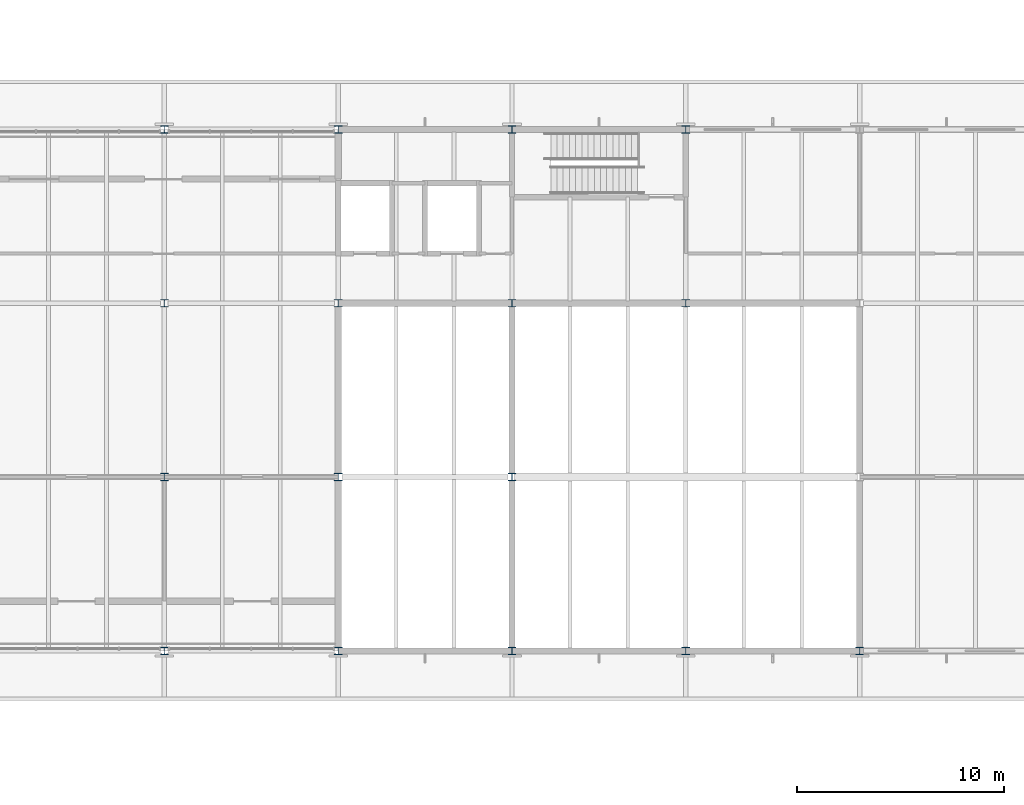
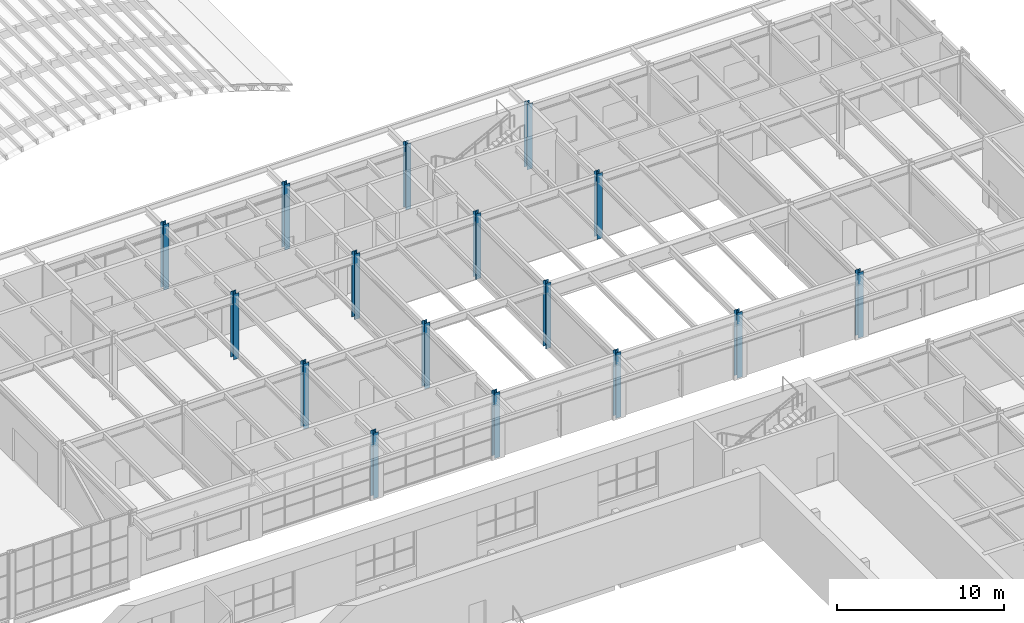
# One storey, part 13 of 116: 16 columns.
"""IFC4 building model written with IfcOpenShell, lengths in metres."""

from ifc_helpers import new_model, si_unit, direction, frame, origin, origin_2d, place, context, subcontext, project, spatial, i_section, extrude, material, material_profile, profile_set, type_object, element, save


model = new_model("IFC4")

# Units and contexts
model_context = context("Model", 3, precision=1e-05, world=origin(), true_north=direction((0.0, 1.0)))
body_context = subcontext(model_context, "Body", "Model", "MODEL_VIEW")
ifc_project = project(units=[si_unit("LENGTHUNIT", "METRE"), si_unit("AREAUNIT", "SQUARE_METRE"), si_unit("VOLUMEUNIT", "CUBIC_METRE"), si_unit("PLANEANGLEUNIT", "RADIAN"), si_unit("MASSUNIT", "GRAM", prefix="KILO")], contexts=[model_context])

# Site, building, storey
site_placement = place(None, origin())
site = spatial("IfcSite", under=ifc_project, at=site_placement, CompositionType="ELEMENT")
building_placement = place(site_placement, origin())
building = spatial("IfcBuilding", under=site, at=building_placement, Name="Ljudholm Concert House", CompositionType="ELEMENT")
storey_placement = place(building_placement, frame((0.0, 0.0, 10.199951171875)))
storey = spatial("IfcBuildingStorey", under=building, at=storey_placement, Name="L02", CompositionType="ELEMENT", Elevation=10.199951171875)

# Columns
ifc_material = material(Name="Steel ASTM A992", Category="steel")
ifc_material_profile = material_profile(ifc_material, i_section(OverallWidth=0.368408203125, OverallDepth=0.355712890625, WebThickness=0.01123046875, FlangeThickness=0.01806640625, FilletRadius=0.01513671875, at=origin_2d()), Name="W14X90")
ifc_profile_set = profile_set([ifc_material_profile], Name="Steel ASTM A992")
column_type = type_object("IfcColumnType", Name="STEEL COLUMN W14X90", PredefinedType="COLUMN", material=ifc_profile_set)
for number, where, z_axis, x_axis, name in (
    (1, (71.199951171875, 104.800048828125, 0.0), (0.0, 0.0, 1.0), (1.0, 0.0, 0.0), "Column STUDIO-L02-col-71.2-104.8"),
    (2, (71.199951171875, 113.199951171875, 0.0), (0.0, 0.0, 1.0), (1.0, 0.0, 0.0), "Column STUDIO-L02-col-71.2-113.2"),
    (3, (71.199951171875, 121.60009765625, 0.0), (0.0, 0.0, 1.0), (1.0, 0.0, 0.0), "Column STUDIO-L02-col-71.2-121.6"),
    (4, (71.199951171875, 130.0, 0.0), (0.0, 0.0, 1.0), (1.0, 0.0, 0.0), "Column STUDIO-L02-col-71.2-130"),
    (5, (79.60009765625, 104.800048828125, 0.0), (0.0, 0.0, 1.0), (1.0, 0.0, 0.0), "Column STUDIO-L02-col-79.6-104.8"),
    (6, (79.60009765625, 113.199951171875, 0.0), (0.0, 0.0, 1.0), (1.0, 0.0, 0.0), "Column STUDIO-L02-col-79.6-113.2"),
    (7, (79.60009765625, 121.60009765625, 0.0), (0.0, 0.0, 1.0), (1.0, 0.0, 0.0), "Column STUDIO-L02-col-79.6-121.6"),
    (8, (79.60009765625, 130.0, 0.0), (0.0, 0.0, 1.0), (1.0, 0.0, 0.0), "Column STUDIO-L02-col-79.6-130"),
    (9, (88.0, 104.800048828125, 0.0), (0.0, 0.0, 1.0), (1.0, 0.0, 0.0), "Column STUDIO-L02-col-88-104.8"),
    (10, (88.0, 113.199951171875, 0.0), (0.0, 0.0, 1.0), (1.0, 0.0, 0.0), "Column STUDIO-L02-col-88-113.2"),
    (11, (88.0, 121.60009765625, 0.0), (0.0, 0.0, 1.0), (1.0, 0.0, 0.0), "Column STUDIO-L02-col-88-121.6"),
    (12, (88.0, 130.0, 0.0), (0.0, 0.0, 1.0), (1.0, 0.0, 0.0), "Column STUDIO-L02-col-88-130"),
    (13, (96.39990234375, 104.800048828125, 0.0), (0.0, 0.0, 1.0), (1.0, 0.0, 0.0), "Column STUDIO-L02-col-96.4-104.8"),
    (14, (96.39990234375, 121.60009765625, 0.0), (0.0, 0.0, 1.0), (1.0, 0.0, 0.0), "Column STUDIO-L02-col-96.4-121.6"),
    (15, (96.39990234375, 130.0, 0.0), (0.0, 0.0, 1.0), (1.0, 0.0, 0.0), "Column STUDIO-L02-col-96.4-130"),
    (16, (104.800048828125, 104.800048828125, 0.0), (0.0, 0.0, 1.0), (1.0, 0.0, 0.0), "Column STUDIO-L02-col-104.8-104.8"),
):
    element("IfcColumn", number, at=place(storey_placement, frame(where, z_axis=z_axis, x_axis=x_axis)), inside=storey, type_object=column_type, Name=name, PredefinedType="COLUMN", context=body_context, shape_type="SweptSolid", body=[
        extrude(i_section(OverallWidth=0.368408203125, OverallDepth=0.355712890625, WebThickness=0.01123046875, FlangeThickness=0.01806640625, FilletRadius=0.01513671875, at=origin_2d()), origin(), (0.0, 0.0, 1.0), 4.800048828125),
    ])

save(model, "model.ifc")
